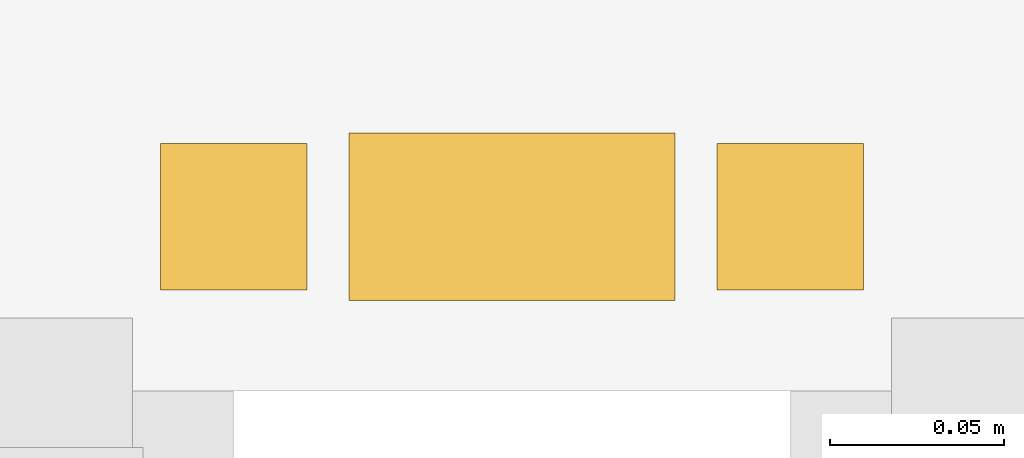
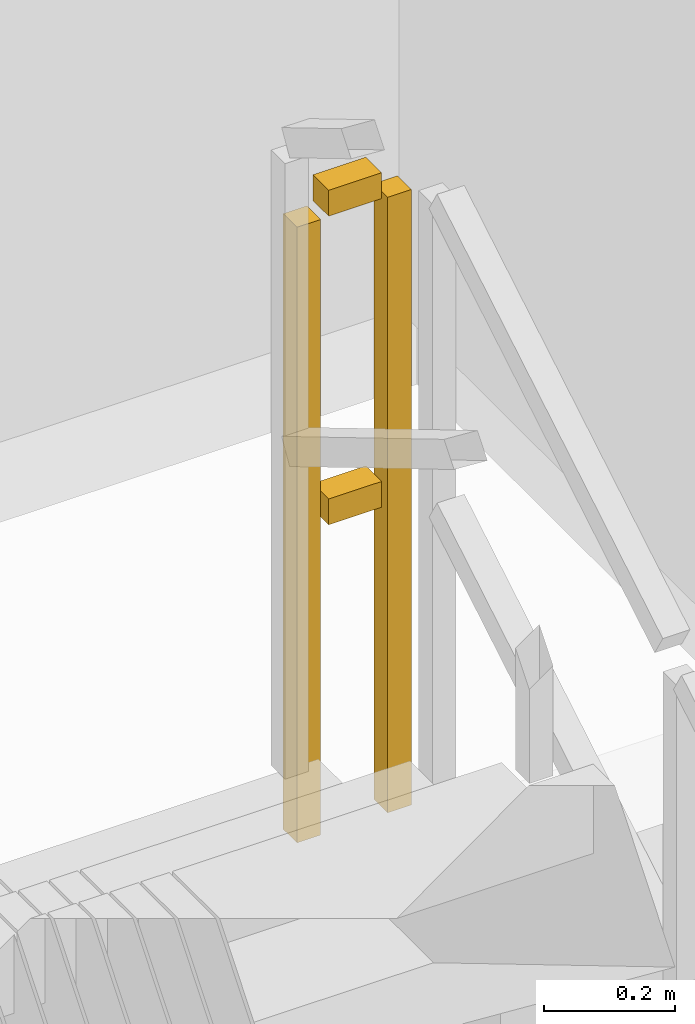
# One storey, part 25 of 25: 1 railing.
"""IFC4 building model written with IfcOpenShell, lengths in metres."""

from ifc_helpers import new_model, si_unit, direction, frame, origin, origin_2d, place, context, subcontext, project, spatial, rectangle, extrude, material, type_object, element, save


model = new_model("IFC4")

# Units and contexts
model_context = context("Model", 3, precision=1e-05, world=origin(), true_north=direction((0.0, 1.0)))
body_context = subcontext(model_context, "Body", "Model", "MODEL_VIEW")
ifc_project = project(units=[si_unit("LENGTHUNIT", "METRE"), si_unit("AREAUNIT", "SQUARE_METRE"), si_unit("VOLUMEUNIT", "CUBIC_METRE"), si_unit("PLANEANGLEUNIT", "RADIAN"), si_unit("MASSUNIT", "GRAM", prefix="KILO")], contexts=[model_context])

# Site, building, storey
site_placement = place(None, origin())
site = spatial("IfcSite", under=ifc_project, at=site_placement, CompositionType="ELEMENT")
building_placement = place(site_placement, origin())
building = spatial("IfcBuilding", under=site, at=building_placement, Name="Saelheon Loggia Tower", CompositionType="ELEMENT")
storey_placement = place(building_placement, frame((0.0, 0.0, 107.85009765625)))
storey = spatial("IfcBuildingStorey", under=building, at=storey_placement, Name="L34", CompositionType="ELEMENT", Elevation=107.85009765625)

# Railing
ifc_material = material(Name="Galvanised Steel S275 Stairwell Guardrail", Category="steel")
railing_type = type_object("IfcRailingType", Name="Guard_StairWell_RL_STG", PredefinedType="GUARDRAIL", material=ifc_material)
railing_placement = place(storey_placement, frame((42.489990234375, 32.739990234375, 1.5)))
element("IfcRailing", 1, at=railing_placement, inside=storey, type_object=railing_type, Name="L34 ST2 stair guard 2", PredefinedType="GUARDRAIL", context=body_context, shape_type="SweptSolid", body=[
    extrude(rectangle(XDim=0.048095703125, YDim=0.048095703125, at=origin_2d()), frame((-0.033203125, 0.0, 1.17578125), z_axis=(-1.0, 0.0, 0.0), x_axis=(0.0, -1.0, 0.0)), (0.0, 0.0, 1.0), 0.093505859375),
    extrude(rectangle(XDim=0.048095703125, YDim=0.048095703125, at=origin_2d()), frame((-0.033203125, 0.0, 0.60009765625), z_axis=(-1.0, 0.0, 0.0), x_axis=(0.0, -1.0, 0.0)), (0.0, 0.0, 1.0), 0.093505859375),
    extrude(rectangle(XDim=0.0419921875, YDim=0.0419921875, at=origin_2d()), origin(), (0.0, 0.0, 1.0), 1.14794921875),
    extrude(rectangle(XDim=0.0419921875, YDim=0.0419921875, at=origin_2d()), frame((-0.159912109375, 0.0, 0.0)), (0.0, 0.0, 1.0), 1.14794921875),
])

save(model, "model.ifc")
